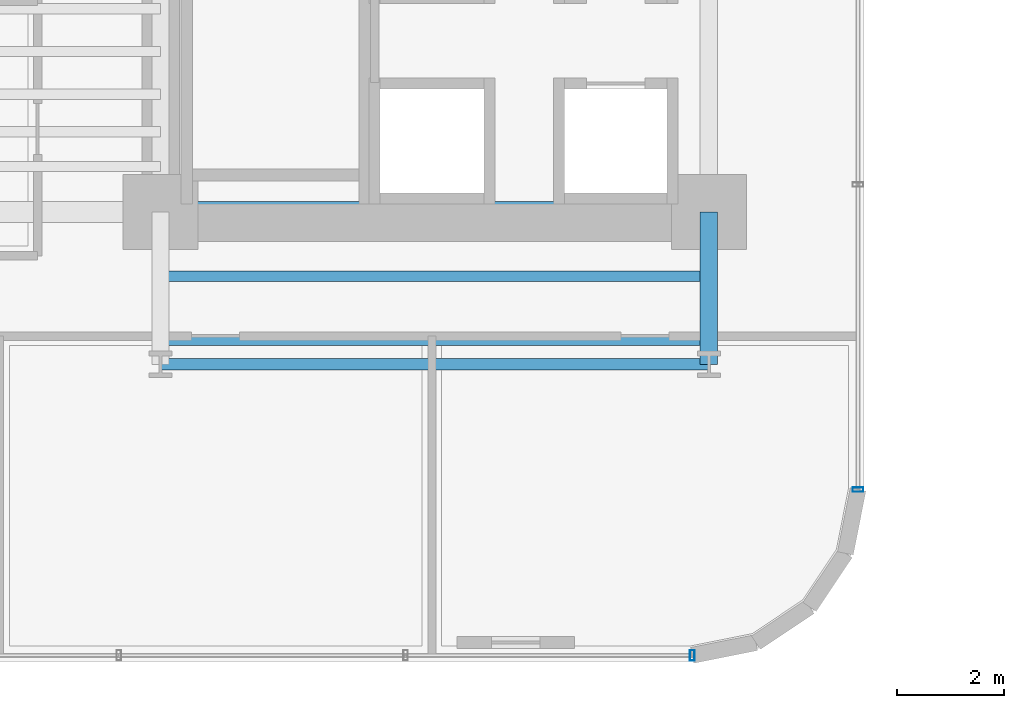
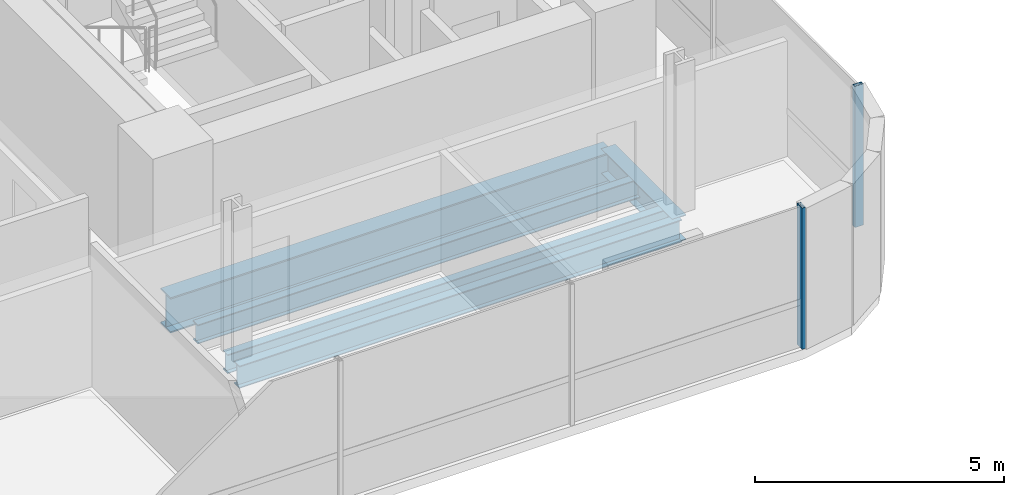
# One storey, part 5 of 41: 5 beams, 2 members, 2 elements without a shape of their own.
"""IFC4 building model written with IfcOpenShell, lengths in metres."""

from ifc_helpers import new_model, si_unit, direction, frame, origin, origin_2d, place, context, subcontext, project, spatial, hollow_rectangle, i_section, extrude, source, transform, mapped, material, material_profile, profile_set, type_object, element, aggregate, save


model = new_model("IFC4")

# Units and contexts
model_context = context("Model", 3, precision=1e-05, world=origin(), true_north=direction((0.0, 1.0)))
body_context = subcontext(model_context, "Body", "Model", "MODEL_VIEW")
ifc_project = project(units=[si_unit("LENGTHUNIT", "METRE"), si_unit("AREAUNIT", "SQUARE_METRE"), si_unit("VOLUMEUNIT", "CUBIC_METRE"), si_unit("PLANEANGLEUNIT", "RADIAN"), si_unit("MASSUNIT", "GRAM", prefix="KILO")], contexts=[model_context])

# Site, building, storey
site_placement = place(None, origin())
site = spatial("IfcSite", under=ifc_project, at=site_placement, CompositionType="ELEMENT")
building_placement = place(site_placement, origin())
building = spatial("IfcBuilding", under=site, at=building_placement, Name="Valdorenza Pilgrim Sanctuary Tower", CompositionType="ELEMENT")
storey_placement = place(building_placement, frame((0.0, 0.0, 85.199951171875)))
storey = spatial("IfcBuildingStorey", under=building, at=storey_placement, Name="L21", CompositionType="ELEMENT", Elevation=85.199951171875)

# Beams
ifc_material_1 = material(Name="Steel ASTM A992 Grade 50", Category="steel")
ifc_material_profile_1 = material_profile(ifc_material_1, i_section(OverallWidth=0.214111328125, OverallDepth=0.549072265625, WebThickness=0.0146484375, FlangeThickness=0.023681640625, at=origin_2d()), Name="W21X93")
ifc_profile_set_1 = profile_set([ifc_material_profile_1], Name="Steel ASTM A992 Grade 50")
beam_type_1 = type_object("IfcBeamType", Name="STR-BM-SPN-W21A", PredefinedType="SPANDREL", material=ifc_profile_set_1)
shared_shape_1 = source(origin(), body_context, "Body", "SweptSolid", [
    extrude(i_section(OverallWidth=0.214111328125, OverallDepth=0.549072265625, WebThickness=0.0146484375, FlangeThickness=0.023681640625, at=origin_2d()), origin(), (0.0, 0.0, 1.0), 10.25),
])
beam_1_placement = place(storey_placement, frame((-22.64990234375, -13.449951171875, -0.514404296875), z_axis=(1.0, 0.0, 0.0), x_axis=(0.0, 1.0, 0.0)))
element("IfcBeam", 1, at=beam_1_placement, inside=storey, type_object=beam_type_1, Name="L21 South Spandrel WA-S-TIE", PredefinedType="SPANDREL", context=body_context, shape_type="MappedRepresentation", body=[
    mapped(shared_shape_1, transform((0.0, 0.0, 0.0), x_axis=(1.0, 0.0, 0.0), y_axis=(0.0, 1.0, 0.0), z_axis=(0.0, 0.0, 1.0), scale=1.0)),
])
ifc_material_profile_2 = material_profile(ifc_material_1, i_section(OverallWidth=0.323974609375, OverallDepth=0.611083984375, WebThickness=0.0126953125, FlangeThickness=0.01904296875, at=origin_2d()), Name="W24X104")
ifc_profile_set_2 = profile_set([ifc_material_profile_2], Name="Steel ASTM A992 Grade 50")
beam_type_2 = type_object("IfcBeamType", Name="STR-BM-GRD-W24B", PredefinedType="BEAM", material=ifc_profile_set_2)
shared_shape_2 = source(origin(), body_context, "Body", "SweptSolid", [
    extrude(i_section(OverallWidth=0.323974609375, OverallDepth=0.611083984375, WebThickness=0.0126953125, FlangeThickness=0.01904296875, at=origin_2d()), origin(), (0.0, 0.0, 1.0), 2.849853515625),
])
beam_2_placement = place(storey_placement, frame((-12.39990234375, -13.449951171875, -0.54541015625), z_axis=(0.0, 1.0, 0.0), x_axis=(-1.0, 0.0, 0.0)))
element("IfcBeam", 2, at=beam_2_placement, inside=storey, type_object=beam_type_2, Name="L21 Floor Girder WA-S-LE", PredefinedType="BEAM", context=body_context, shape_type="MappedRepresentation", body=[
    mapped(shared_shape_2, transform((0.0, 0.0, 0.0), x_axis=(1.0, 0.0, 0.0), y_axis=(0.0, 1.0, 0.0), z_axis=(0.0, 0.0, 1.0), scale=1.0)),
])
ifc_material_profile_3 = material_profile(ifc_material_1, i_section(OverallWidth=0.193115234375, OverallDepth=0.466064453125, WebThickness=0.011474609375, FlangeThickness=0.01904296875, at=origin_2d()), Name="W18X65")
ifc_profile_set_3 = profile_set([ifc_material_profile_3], Name="Steel ASTM A992 Grade 50")
beam_type_3 = type_object("IfcBeamType", Name="STR-BM-JST-W18A", PredefinedType="JOIST", material=ifc_profile_set_3)
shared_shape_3 = source(origin(), body_context, "Body", "SweptSolid", [
    extrude(i_section(OverallWidth=0.193115234375, OverallDepth=0.466064453125, WebThickness=0.011474609375, FlangeThickness=0.01904296875, at=origin_2d()), origin(), (0.0, 0.0, 1.0), 10.25),
])
for number, where, z_axis, x_axis, name in (
    (3, (-22.64990234375, -13.0, -0.472900390625), (1.0, 0.0, 0.0), (0.0, 1.0, 0.0), "L21 Composite Floor Joist JST-WAS-1"),
    (4, (-22.64990234375, -11.800048828125, -0.472900390625), (1.0, 0.0, 0.0), (0.0, 1.0, 0.0), "L21 Composite Floor Joist JST-WAS-2"),
):
    element("IfcBeam", number, at=place(storey_placement, frame(where, z_axis=z_axis, x_axis=x_axis)), inside=storey, type_object=beam_type_3, Name=name, PredefinedType="JOIST", context=body_context, shape_type="MappedRepresentation", body=[
        mapped(shared_shape_3, transform((0.0, 0.0, 0.0), x_axis=(1.0, 0.0, 0.0), y_axis=(0.0, 1.0, 0.0), z_axis=(0.0, 0.0, 1.0), scale=1.0)),
    ])
ifc_material_profile_4 = material_profile(ifc_material_1, i_section(OverallWidth=0.39990234375, OverallDepth=0.862060546875, WebThickness=0.019775390625, FlangeThickness=0.032470703125, at=origin_2d()), Name="W33X221")
ifc_profile_set_4 = profile_set([ifc_material_profile_4], Name="Steel ASTM A992 Grade 50")
beam_type_4 = type_object("IfcBeamType", Name="STR-BM-GRD-W33", PredefinedType="BEAM", material=ifc_profile_set_4)
shared_shape_4 = source(origin(), body_context, "Body", "SweptSolid", [
    extrude(i_section(OverallWidth=0.39990234375, OverallDepth=0.862060546875, WebThickness=0.019775390625, FlangeThickness=0.032470703125, at=origin_2d()), origin(), (0.0, 0.0, 1.0), 10.25),
])
beam_3_placement = place(storey_placement, frame((-22.64990234375, -10.60009765625, -0.6708984375), z_axis=(1.0, 0.0, 0.0), x_axis=(0.0, 1.0, 0.0)))
element("IfcBeam", 5, at=beam_3_placement, inside=storey, type_object=beam_type_4, Name="L21 Floor Girder CA-XC-S1", PredefinedType="BEAM", context=body_context, shape_type="MappedRepresentation", body=[
    mapped(shared_shape_4, transform((0.0, 0.0, 0.0), x_axis=(1.0, 0.0, 0.0), y_axis=(0.0, 1.0, 0.0), z_axis=(0.0, 0.0, 1.0), scale=1.0)),
])

# Curtain wall, member
ifc_material_2 = material(Name="Curtain-wall IGU glazing", Category="glass")
curtain_wall_type = type_object("IfcCurtainWallType", Name="CW-SYS-02", PredefinedType="NOTDEFINED", material=ifc_material_2)
curtain_wall_1_placement = place(storey_placement, origin())
curtain_wall_1 = element("IfcCurtainWall", 6, at=curtain_wall_1_placement, inside=storey, type_object=curtain_wall_type, Name="L21 Curtain Wall CW-L21-1-41", PredefinedType="NOTDEFINED")
ifc_material_3 = material(Name="Anodised aluminium AW-6060", Category="aluminium")
ifc_material_profile_5 = material_profile(ifc_material_3, hollow_rectangle(XDim=0.0849609375, YDim=0.199951171875, WallThickness=0.0048828125, at=origin_2d()), Name="ALU-M 200x85x5")
ifc_profile_set_5 = profile_set([ifc_material_profile_5], Name="Anodised aluminium AW-6060")
member_type = type_object("IfcMemberType", Name="CW-MUL-02", PredefinedType="MULLION", material=ifc_profile_set_5)
shared_shape_5 = source(origin(), body_context, "Body", "SweptSolid", [
    extrude(hollow_rectangle(XDim=0.0849609375, YDim=0.199951171875, WallThickness=0.0048828125, at=origin_2d()), origin(), (0.0, 0.0, 1.0), 3.4599609375),
])
member_1_placement = place(storey_placement, frame((-9.610107421875, -15.789306640625, 0.0), z_axis=(0.0, 0.0, 1.0), x_axis=(0.0, -1.0, 0.0)))
member_1 = element("IfcMember", 7, at=member_1_placement, type_object=member_type, Name="CW-L21-1-41 Mullion 5", PredefinedType="MULLION", context=body_context, shape_type="MappedRepresentation", body=[
    mapped(shared_shape_5, transform((0.0, 0.0, 0.0), x_axis=(1.0, 0.0, 0.0), y_axis=(0.0, 1.0, 0.0), z_axis=(0.0, 0.0, 1.0), scale=1.0)),
])
aggregate(curtain_wall_1, [member_1])

curtain_wall_2_placement = place(storey_placement, origin())
curtain_wall_2 = element("IfcCurtainWall", 8, at=curtain_wall_2_placement, inside=storey, type_object=curtain_wall_type, Name="L21 Curtain Wall CW-L21-1-46", PredefinedType="NOTDEFINED")
member_2_placement = place(storey_placement, frame((-12.710693359375, -18.889892578125, 0.0), z_axis=(0.0, 0.0, 1.0), x_axis=(-1.0, 0.0, 0.0)))
member_2 = element("IfcMember", 9, at=member_2_placement, type_object=member_type, Name="CW-L21-1-46 Mullion 1", PredefinedType="MULLION", context=body_context, shape_type="MappedRepresentation", body=[
    mapped(shared_shape_5, transform((0.0, 0.0, 0.0), x_axis=(1.0, 0.0, 0.0), y_axis=(0.0, 1.0, 0.0), z_axis=(0.0, 0.0, 1.0), scale=1.0)),
])
aggregate(curtain_wall_2, [member_2])

save(model, "model.ifc")
